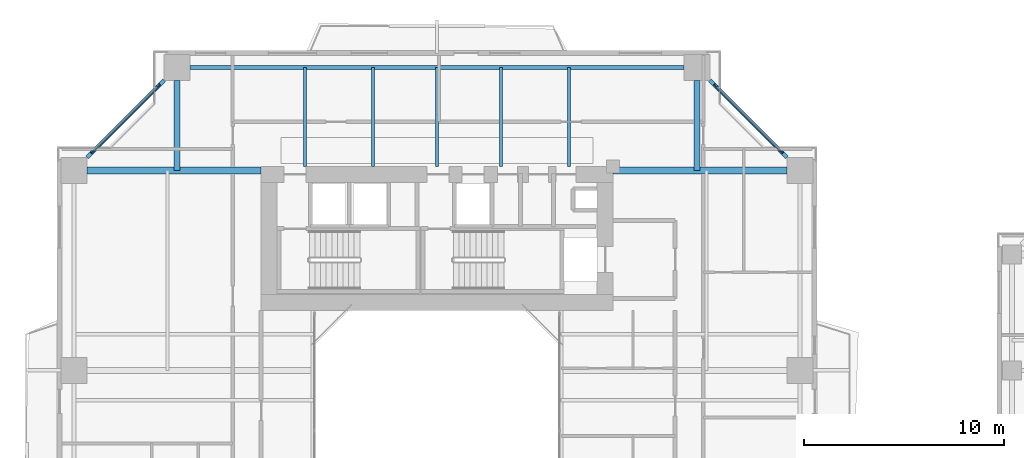
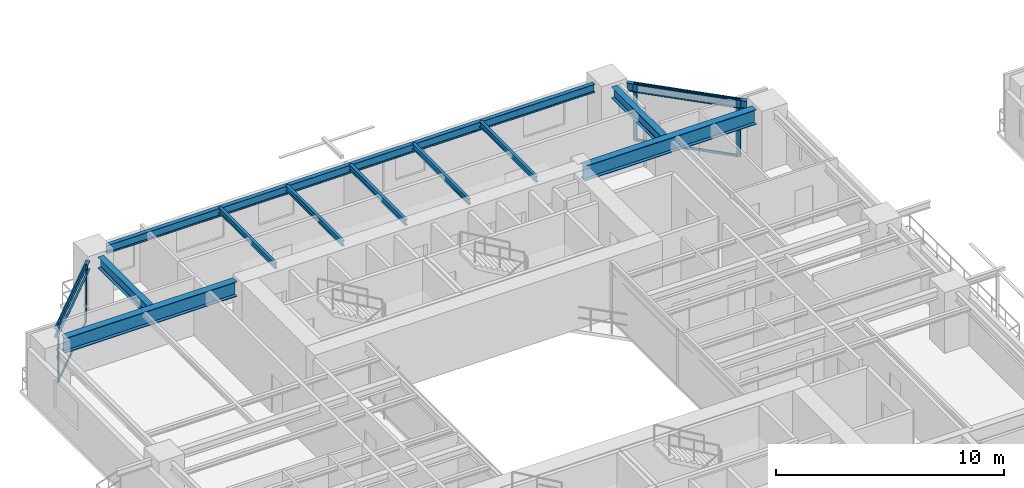
# One storey, part 9 of 23: 12 beams, 8 members, 2 elements without a shape of their own.
"""IFC4 building model written with IfcOpenShell, lengths in metres."""

import ifcopenshell
import ifcopenshell.guid

model = None  # the IFC model being written
_history = None  # IfcOwnerHistory: only IFC2X3 demands one
_inside = {}  # id of a spatial element -> (the spatial element, [elements in it])
_under = {}  # id of a project, library or spatial element -> (it, [spatial elements below it])
_declared = {}  # id of a project -> (the project, [libraries it declares])
_typed = {}  # id of a type object -> (the type object, [elements of that type])
_made_of = {}  # id of a material, layer set ... -> (it, [elements and type objects made of it])


def new_model(schema):
    """Start an empty IFC model of exactly this schema.

    Asked for "IFC4X3", IfcOpenShell would pick the latest addendum, in which some entities
    have other attributes; the version numbers below select the first issue.
    IFC2X3 requires an IfcOwnerHistory on every rooted entity: one is made here for all.
    """
    global model, _history
    if schema == "IFC4X3":
        model = ifcopenshell.file(schema_version=(4, 3, 0, 0))
    else:
        model = ifcopenshell.file(schema=schema)
    _inside.clear()
    _under.clear()
    _declared.clear()
    _typed.clear()
    _made_of.clear()
    _history = None
    if model.schema == "IFC2X3":
        org = make("IfcOrganization", Name="unknown")
        user = make(
            "IfcPersonAndOrganization",
            ThePerson=make("IfcPerson", FamilyName="unknown"),
            TheOrganization=org,
        )
        app = make(
            "IfcApplication",
            ApplicationDeveloper=org,
            Version="unknown",
            ApplicationFullName="unknown",
            ApplicationIdentifier="unknown",
        )
        _history = make(
            "IfcOwnerHistory",
            OwningUser=user,
            OwningApplication=app,
            ChangeAction="ADDED",
            CreationDate=0,
        )
    return model


def make(cls, **values):
    """One entity of the class cls with the attributes given. An attribute that is None is left unset."""
    return model.create_entity(
        cls, **{name: value for name, value in values.items() if value is not None}
    )


def rooted(cls, **values):
    """An entity with a GlobalId (a new one), such as an element, a storey or a relation."""
    return make(cls, GlobalId=ifcopenshell.guid.new(), OwnerHistory=_history, **values)


def si_unit(unit_type, name, prefix=None):
    """IfcSIUnit, for example si_unit("LENGTHUNIT", "METRE", prefix="MILLI")."""
    return make("IfcSIUnit", UnitType=unit_type, Prefix=prefix, Name=name)


def assignment(units):
    """IfcUnitAssignment: the units of a project."""
    return None if units is None else make("IfcUnitAssignment", Units=units)


def point(xyz):
    """IfcCartesianPoint."""
    return None if xyz is None else make("IfcCartesianPoint", Coordinates=xyz)


def direction(xyz):
    """IfcDirection."""
    return None if xyz is None else make("IfcDirection", DirectionRatios=xyz)


def frame(location, z_axis=None, x_axis=None):
    """IfcAxis2Placement3D, a coordinate frame: its origin and axes. An axis left out is left unset."""
    return make(
        "IfcAxis2Placement3D",
        Location=point(location),
        Axis=direction(z_axis),
        RefDirection=direction(x_axis),
    )


def frame_2d(location, x_axis=None):
    """IfcAxis2Placement2D, a coordinate frame in the plane: its origin and x axis."""
    return make(
        "IfcAxis2Placement2D", Location=point(location), RefDirection=direction(x_axis)
    )


def origin():
    """The frame at (0, 0, 0) with its axes left unset."""
    return frame((0.0, 0.0, 0.0))


def origin_2d():
    """The frame at (0, 0) in the plane with its x axis left unset."""
    return frame_2d((0.0, 0.0))


def place(relative_to, where):
    """IfcLocalPlacement: puts the frame where relative to a parent placement (None: the world)."""
    return make(
        "IfcLocalPlacement", PlacementRelTo=relative_to, RelativePlacement=where
    )


def context(
    kind, dimensions, precision=None, world=None, true_north=None, identifier=None
):
    """IfcGeometricRepresentationContext, for example the 3D "Model" context."""
    return make(
        "IfcGeometricRepresentationContext",
        ContextIdentifier=identifier,
        ContextType=kind,
        CoordinateSpaceDimension=dimensions,
        Precision=precision,
        WorldCoordinateSystem=world,
        TrueNorth=true_north,
    )


def subcontext(parent, identifier, kind, view, scale=None):
    """IfcGeometricRepresentationSubContext, for example "Body" below "Model"."""
    return make(
        "IfcGeometricRepresentationSubContext",
        ContextIdentifier=identifier,
        ContextType=kind,
        ParentContext=parent,
        TargetScale=scale,
        TargetView=view,
    )


def project(units=None, contexts=None):
    """IfcProject with its units and contexts."""
    return rooted(
        "IfcProject",
        Name="project",
        RepresentationContexts=contexts,
        UnitsInContext=assignment(units),
    )


def spatial(cls, under=None, at=None, **own):
    """A site, building, storey or space (cls), placed at a placement, below another one or the project."""
    s = rooted(cls, ObjectPlacement=at, **own)
    if under is not None:
        _under.setdefault(under.id(), (under, []))[1].append(s)
    return s


def profile(cls, at=None, kind="AREA", **sizes):
    """A parametric profile (cls). Its sizes go by their IFC names, for example OverallWidth=200.0."""
    return make(cls, ProfileType=kind, Position=at, **sizes)


def rectangle(**sizes):
    """IfcRectangleProfileDef."""
    return profile("IfcRectangleProfileDef", **sizes)


def i_section(**sizes):
    """IfcIShapeProfileDef."""
    return profile("IfcIShapeProfileDef", **sizes)


def extrude(swept, where, along, depth):
    """IfcExtrudedAreaSolid: the profile swept, set in the frame where, extruded along a direction by depth."""
    return make(
        "IfcExtrudedAreaSolid",
        SweptArea=swept,
        Position=where,
        ExtrudedDirection=direction(along),
        Depth=depth,
    )


def shape(context_of_items, identifier, shape_type, items):
    """IfcShapeRepresentation: the items that make up one representation, for example the "Body"."""
    return make(
        "IfcShapeRepresentation",
        ContextOfItems=context_of_items,
        RepresentationIdentifier=identifier,
        RepresentationType=shape_type,
        Items=items,
    )


def source(mapping_origin, context_of_items, identifier, shape_type, items):
    """IfcRepresentationMap: a shape defined once, which mapped items show again and again."""
    return make(
        "IfcRepresentationMap",
        MappingOrigin=mapping_origin,
        MappedRepresentation=shape(context_of_items, identifier, shape_type, items),
    )


def transform(
    local_origin,
    x_axis=None,
    y_axis=None,
    z_axis=None,
    scale=None,
    scale2=None,
    scale3=None,
    uniform=True,
):
    """IfcCartesianTransformationOperator3D, or its non-uniform kind. x_axis, y_axis, z_axis: its Axis1, 2, 3."""
    if uniform:
        return make(
            "IfcCartesianTransformationOperator3D",
            Axis1=direction(x_axis),
            Axis2=direction(y_axis),
            LocalOrigin=point(local_origin),
            Scale=scale,
            Axis3=direction(z_axis),
        )
    return make(
        "IfcCartesianTransformationOperator3DnonUniform",
        Axis1=direction(x_axis),
        Axis2=direction(y_axis),
        LocalOrigin=point(local_origin),
        Scale=scale,
        Axis3=direction(z_axis),
        Scale2=scale2,
        Scale3=scale3,
    )


def mapped(mapping_source, mapping_target):
    """IfcMappedItem: shows the shape of a source again, moved by a transform."""
    return make(
        "IfcMappedItem", MappingSource=mapping_source, MappingTarget=mapping_target
    )


def material(Name=None, Category=None):
    """IfcMaterial."""
    return make("IfcMaterial", Name=Name, Category=Category)


def layer(
    of_material, thickness, ventilated=None, Name=None, Category=None, Priority=None
):
    """IfcMaterialLayer: one layer of a wall or slab, of a material (None: an air gap)."""
    return make(
        "IfcMaterialLayer",
        Material=of_material,
        LayerThickness=thickness,
        IsVentilated=ventilated,
        Name=Name,
        Category=Category,
        Priority=Priority,
    )


def layer_set(layers, Name=None):
    """IfcMaterialLayerSet."""
    return make("IfcMaterialLayerSet", MaterialLayers=layers, LayerSetName=Name)


def material_profile(
    of_material, cross_section, Name=None, Category=None, Priority=None
):
    """IfcMaterialProfile: a cross section and its material."""
    return make(
        "IfcMaterialProfile",
        Name=Name,
        Material=of_material,
        Profile=cross_section,
        Priority=Priority,
        Category=Category,
    )


def profile_set(profiles, Name=None, composite=None):
    """IfcMaterialProfileSet."""
    return make(
        "IfcMaterialProfileSet",
        Name=Name,
        MaterialProfiles=profiles,
        CompositeProfile=composite,
    )


def made_of(thing, what):
    """Note that an element or type object is made of a material, layer set ...; save() writes the relation."""
    if what is not None:
        _made_of.setdefault(what.id(), (what, []))[1].append(thing)
    return thing


def type_object(cls, material=None, **own):
    """A type object (cls), such as IfcWallType, which elements share."""
    return made_of(rooted(cls, **own), material)


def element(
    cls,
    number,
    at=None,
    inside=None,
    cuts=None,
    type_object=None,
    material=None,
    context=None,
    identifier="Body",
    shape_type=None,
    held_by="IfcProductDefinitionShape",
    body=None,
    shapes=None,
    **own,
):
    """One element of the class cls, such as IfcWall. Its Tag is "e" and its number.

    at: its placement. inside: the storey or other place that contains it. cuts: it is an
    opening in that element (IfcRelVoidsElement). A single representation is given by context,
    identifier, shape_type and body (its items); several are given by shapes. held_by: the class
    of the entity that holds the representations. save() writes the other relations.
    """
    e = rooted(cls, Tag="e%d" % number, ObjectPlacement=at, **own)
    if body is not None:
        shapes = [shape(context, identifier, shape_type, body)]
    if shapes is not None:
        e.Representation = make(held_by, Representations=shapes)
    if inside is not None:
        _inside.setdefault(inside.id(), (inside, []))[1].append(e)
    if cuts is not None:
        rooted(
            "IfcRelVoidsElement", RelatingBuildingElement=cuts, RelatedOpeningElement=e
        )
    if type_object is not None:
        _typed.setdefault(type_object.id(), (type_object, []))[1].append(e)
    return made_of(e, material)


def aggregate(whole, parts):
    """IfcRelAggregates: a whole, such as a stair, and the parts it consists of."""
    return rooted("IfcRelAggregates", RelatingObject=whole, RelatedObjects=parts)


def save(model, path):
    """Write the relations noted so far, then the file.

    IfcRelAggregates (storeys below a building ...), IfcRelContainedInSpatialStructure (elements
    in a storey), IfcRelDefinesByType, IfcRelAssociatesMaterial and IfcRelDeclares: one each for
    every whole, place, type object, material and project.
    """
    for whole, parts in _under.values():
        aggregate(whole, parts)
    for where, things in _inside.values():
        rooted(
            "IfcRelContainedInSpatialStructure",
            RelatedElements=things,
            RelatingStructure=where,
        )
    for kind, things in _typed.values():
        rooted("IfcRelDefinesByType", RelatedObjects=things, RelatingType=kind)
    for what, things in _made_of.values():
        rooted("IfcRelAssociatesMaterial", RelatedObjects=things, RelatingMaterial=what)
    for by, libraries in _declared.values():
        rooted("IfcRelDeclares", RelatingContext=by, RelatedDefinitions=libraries)
    model.write(path)


model = new_model("IFC4")

# Units and contexts
model_context = context("Model", 3, precision=1e-05, world=origin(), true_north=direction((0.0, 1.0)))
body_context = subcontext(model_context, "Body", "Model", "MODEL_VIEW")
ifc_project = project(units=[si_unit("LENGTHUNIT", "METRE"), si_unit("AREAUNIT", "SQUARE_METRE"), si_unit("VOLUMEUNIT", "CUBIC_METRE"), si_unit("PLANEANGLEUNIT", "RADIAN"), si_unit("MASSUNIT", "GRAM", prefix="KILO"), si_unit("THERMODYNAMICTEMPERATUREUNIT", "KELVIN"), si_unit("POWERUNIT", "WATT")], contexts=[model_context])

# Site, building, storey
site_placement = place(None, origin())
site = spatial("IfcSite", under=ifc_project, at=site_placement, CompositionType="ELEMENT")
building_placement = place(site_placement, origin())
building = spatial("IfcBuilding", under=site, at=building_placement, Name="Qiaomeng Ring Towers", CompositionType="ELEMENT")
storey_placement = place(building_placement, frame((0.0, 0.0, 29.5)))
storey = spatial("IfcBuildingStorey", under=building, at=storey_placement, Name="L07", CompositionType="ELEMENT", Elevation=29.5)

# Beams
ifc_material_1 = material(Name="Steel Q355B", Category="steel")
ifc_material_profile_1 = material_profile(ifc_material_1, i_section(OverallWidth=0.199951171875, OverallDepth=0.449951171875, WebThickness=0.009033203125, FlangeThickness=0.013916015625, FilletRadius=0.01806640625, at=origin_2d()), Name="HN 450x200x9x14")
ifc_profile_set_1 = profile_set([ifc_material_profile_1], Name="Steel Q355B")
beam_type_1 = type_object("IfcBeamType", Name="STR-BM-HN450", PredefinedType="SPANDREL", material=ifc_profile_set_1)
shared_shape_1 = source(origin(), body_context, "Body", "SweptSolid", [
    extrude(i_section(OverallWidth=0.199951171875, OverallDepth=0.449951171875, WebThickness=0.009033203125, FlangeThickness=0.013916015625, FilletRadius=0.01806640625, at=origin_2d()), origin(), (0.0, 0.0, 1.0), 24.7021484375),
])
beam_placement = place(storey_placement, frame((31.35107421875, 41.14990234375, 2.844970703125), z_axis=(-1.0, 0.0, 0.0), x_axis=(0.0, -1.0, 0.0)))
element("IfcBeam", 1, at=beam_placement, inside=storey, type_object=beam_type_1, Name="L07 beam STR-SP-L07-T1-N2-N1", PredefinedType="SPANDREL", context=body_context, shape_type="MappedRepresentation", body=[
    mapped(shared_shape_1, transform((0.0, 0.0, 0.0), x_axis=(1.0, 0.0, 0.0), y_axis=(0.0, 1.0, 0.0), z_axis=(0.0, 0.0, 1.0), scale=1.0)),
])
shared_shape_2 = source(origin(), body_context, "Body", "SweptSolid", [
    extrude(i_section(OverallWidth=0.199951171875, OverallDepth=0.449951171875, WebThickness=0.009033203125, FlangeThickness=0.013916015625, FilletRadius=0.01806640625, at=origin_2d()), origin(), (0.0, 0.0, 1.0), 5.446533203125),
])
for number, where, z_axis, x_axis, name in (
    (2, (36.500732421875, 36.6494140625, 2.844970703125), (-0.707106781187, 0.707106781187, 0.0), (-0.707106781187, -0.707106781187, 0.0), "L07 beam STR-SP-L07-T1-E4-N2"),
    (3, (5.3505859375, 40.500732421875, 2.844970703125), (-0.707106781187, -0.707106781187, 0.0), (0.707106781187, -0.707106781187, 0.0), "L07 beam STR-SP-L07-T1-N1-W4"),
):
    element("IfcBeam", number, at=place(storey_placement, frame(where, z_axis=z_axis, x_axis=x_axis)), inside=storey, type_object=beam_type_1, Name=name, PredefinedType="SPANDREL", context=body_context, shape_type="MappedRepresentation", body=[
        mapped(shared_shape_2, transform((0.0, 0.0, 0.0), x_axis=(1.0, 0.0, 0.0), y_axis=(0.0, 1.0, 0.0), z_axis=(0.0, 0.0, 1.0), scale=1.0)),
    ])
ifc_material_2 = material(Name="Steel Q390GJC", Category="steel")
ifc_material_profile_2 = material_profile(ifc_material_2, i_section(OverallWidth=0.35009765625, OverallDepth=0.800048828125, WebThickness=0.01611328125, FlangeThickness=0.028076171875, at=origin_2d()), Name="WH 800x350x16x28")
ifc_profile_set_2 = profile_set([ifc_material_profile_2], Name="Steel Q390GJC")
beam_type_2 = type_object("IfcBeamType", Name="STR-BM-WH800", PredefinedType="BEAM", material=ifc_profile_set_2)
shared_shape_3 = source(origin(), body_context, "Body", "SweptSolid", [
    extrude(i_section(OverallWidth=0.35009765625, OverallDepth=0.800048828125, WebThickness=0.01611328125, FlangeThickness=0.028076171875, at=origin_2d()), origin(), (0.0, 0.0, 1.0), 8.700927734375),
])
for number, where, z_axis, x_axis, name in (
    (4, (1.4990234375, 36.0, 2.669921875), (1.0, 0.0, 0.0), (0.0, 1.0, 0.0), "L07 beam STR-BM-L07-T1-RAD-W4"),
    (5, (27.800048828125, 36.0, 2.669921875), (1.0, 0.0, 0.0), (0.0, 1.0, 0.0), "L07 beam STR-BM-L07-T1-RAD-E4"),
):
    element("IfcBeam", number, at=place(storey_placement, frame(where, z_axis=z_axis, x_axis=x_axis)), inside=storey, type_object=beam_type_2, Name=name, PredefinedType="BEAM", context=body_context, shape_type="MappedRepresentation", body=[
        mapped(shared_shape_3, transform((0.0, 0.0, 0.0), x_axis=(1.0, 0.0, 0.0), y_axis=(0.0, 1.0, 0.0), z_axis=(0.0, 0.0, 1.0), scale=1.0)),
    ])
ifc_material_profile_3 = material_profile(ifc_material_1, i_section(OverallWidth=0.300048828125, OverallDepth=0.587890625, WebThickness=0.011962890625, FlangeThickness=0.02001953125, FilletRadius=0.028076171875, at=origin_2d()), Name="HM 588x300x12x20")
ifc_profile_set_3 = profile_set([ifc_material_profile_3], Name="Steel Q355B")
beam_type_3 = type_object("IfcBeamType", Name="STR-BM-HM588", PredefinedType="BEAM", material=ifc_profile_set_3)
shared_shape_4 = source(origin(), body_context, "Body", "SweptSolid", [
    extrude(i_section(OverallWidth=0.300048828125, OverallDepth=0.587890625, WebThickness=0.011962890625, FlangeThickness=0.02001953125, FilletRadius=0.028076171875, at=origin_2d()), origin(), (0.0, 0.0, 1.0), 4.5009765625),
])
for number, where, z_axis, x_axis, name in (
    (6, (6.0, 40.5009765625, 2.77587890625), (0.0, -1.0, 0.0), (1.0, 0.0, 0.0), "L07 beam STR-BM-L07-T1-RAD-N1"),
    (7, (32.0, 40.5009765625, 2.77587890625), (0.0, -1.0, 0.0), (1.0, 0.0, 0.0), "L07 beam STR-BM-L07-T1-RAD-N2"),
):
    element("IfcBeam", number, at=place(storey_placement, frame(where, z_axis=z_axis, x_axis=x_axis)), inside=storey, type_object=beam_type_3, Name=name, PredefinedType="BEAM", context=body_context, shape_type="MappedRepresentation", body=[
        mapped(shared_shape_4, transform((0.0, 0.0, 0.0), x_axis=(1.0, 0.0, 0.0), y_axis=(0.0, 1.0, 0.0), z_axis=(0.0, 0.0, 1.0), scale=1.0)),
    ])
ifc_material_profile_4 = material_profile(ifc_material_1, i_section(OverallWidth=0.14990234375, OverallDepth=0.300048828125, WebThickness=0.006591796875, FlangeThickness=0.009033203125, FilletRadius=0.012939453125, at=origin_2d()), Name="HN 300x150x6.5x9")
ifc_profile_set_4 = profile_set([ifc_material_profile_4], Name="Steel Q355B")
beam_type_4 = type_object("IfcBeamType", Name="STR-BM-HN300", PredefinedType="JOIST", material=ifc_profile_set_4)
shared_shape_5 = source(origin(), body_context, "Body", "SweptSolid", [
    extrude(i_section(OverallWidth=0.14990234375, OverallDepth=0.300048828125, WebThickness=0.006591796875, FlangeThickness=0.009033203125, FilletRadius=0.012939453125, at=origin_2d()), origin(), (0.0, 0.0, 1.0), 4.949951171875),
])
for number, where, z_axis, x_axis, name in (
    (8, (12.39990234375, 36.199951171875, 2.919921875), (0.0, 1.0, 0.0), (-1.0, 0.0, 0.0), "L07 beam STR-JST-L07-T1N-1"),
    (9, (15.800048828125, 36.199951171875, 2.919921875), (0.0, 1.0, 0.0), (-1.0, 0.0, 0.0), "L07 beam STR-JST-L07-T1N-2"),
    (10, (19.0, 36.199951171875, 2.919921875), (0.0, 1.0, 0.0), (-1.0, 0.0, 0.0), "L07 beam STR-JST-L07-T1N-3"),
    (11, (22.199951171875, 36.199951171875, 2.919921875), (0.0, 1.0, 0.0), (-1.0, 0.0, 0.0), "L07 beam STR-JST-L07-T1N-4"),
    (12, (25.60009765625, 36.199951171875, 2.919921875), (0.0, 1.0, 0.0), (-1.0, 0.0, 0.0), "L07 beam STR-JST-L07-T1N-5"),
):
    element("IfcBeam", number, at=place(storey_placement, frame(where, z_axis=z_axis, x_axis=x_axis)), inside=storey, type_object=beam_type_4, Name=name, PredefinedType="JOIST", context=body_context, shape_type="MappedRepresentation", body=[
        mapped(shared_shape_5, transform((0.0, 0.0, 0.0), x_axis=(1.0, 0.0, 0.0), y_axis=(0.0, 1.0, 0.0), z_axis=(0.0, 0.0, 1.0), scale=1.0)),
    ])

# Curtain wall, members
ifc_material_3 = material(Name="Fluorocarbon dark-grey aluminium", Category="aluminium")
ifc_layer = layer(ifc_material_3, 0.159912109375, Name="Fluorocarbon dark-grey aluminium")
ifc_layer_set = layer_set([ifc_layer], Name="Fluorocarbon dark-grey aluminium")
curtain_wall_type = type_object("IfcCurtainWallType", Name="ARC-CW-2", PredefinedType="NOTDEFINED", material=ifc_layer_set)
curtain_wall_1_placement = place(storey_placement, origin())
curtain_wall_1 = element("IfcCurtainWall", 13, at=curtain_wall_1_placement, inside=storey, type_object=curtain_wall_type, Name="L07 Curtain Wall CW2", PredefinedType="NOTDEFINED")
ifc_material_profile_5 = material_profile(ifc_material_3, rectangle(XDim=0.070068359375, YDim=0.179931640625, at=origin_2d()), Name="ALU MULL 70x180")
ifc_profile_set_5 = profile_set([ifc_material_profile_5], Name="Fluorocarbon dark-grey aluminium")
member_type_1 = type_object("IfcMemberType", Name="ARC-CWM-160", PredefinedType="MULLION", material=ifc_profile_set_5)
shared_shape_6 = source(origin(), body_context, "Body", "SweptSolid", [
    extrude(rectangle(XDim=0.070068359375, YDim=0.179931640625, at=origin_2d()), origin(), (0.0, 0.0, 1.0), 3.070068359375),
])
member_1_placement = place(storey_placement, frame((36.2353515625, 36.914794921875, 0.0), z_axis=(0.0, 0.0, 1.0), x_axis=(-0.707106781187, -0.707106781187, 0.0)))
member_1 = element("IfcMember", 14, at=member_1_placement, type_object=member_type_1, Name="CW2 mullion 1", PredefinedType="MULLION", context=body_context, shape_type="MappedRepresentation", body=[
    mapped(shared_shape_6, transform((0.0, 0.0, 0.0), x_axis=(1.0, 0.0, 0.0), y_axis=(0.0, 1.0, 0.0), z_axis=(0.0, 0.0, 1.0), scale=1.0)),
])
member_2_placement = place(storey_placement, frame((32.914794921875, 40.2353515625, 0.0), z_axis=(0.0, 0.0, 1.0), x_axis=(-0.707106781187, -0.707106781187, 0.0)))
member_2 = element("IfcMember", 15, at=member_2_placement, type_object=member_type_1, Name="CW2 mullion 2", PredefinedType="MULLION", context=body_context, shape_type="MappedRepresentation", body=[
    mapped(shared_shape_6, transform((0.0, 0.0, 0.0), x_axis=(1.0, 0.0, 0.0), y_axis=(0.0, 1.0, 0.0), z_axis=(0.0, 0.0, 1.0), scale=1.0)),
])

curtain_wall_2_placement = place(storey_placement, origin())
curtain_wall_2 = element("IfcCurtainWall", 16, at=curtain_wall_2_placement, inside=storey, type_object=curtain_wall_type, Name="L07 Curtain Wall CW2", PredefinedType="NOTDEFINED")
member_3_placement = place(storey_placement, frame((5.085205078125, 40.2353515625, 0.0), z_axis=(0.0, 0.0, 1.0), x_axis=(0.707106781187, -0.707106781187, 0.0)))
member_3 = element("IfcMember", 17, at=member_3_placement, type_object=member_type_1, Name="CW2 mullion 1", PredefinedType="MULLION", context=body_context, shape_type="MappedRepresentation", body=[
    mapped(shared_shape_6, transform((0.0, 0.0, 0.0), x_axis=(1.0, 0.0, 0.0), y_axis=(0.0, 1.0, 0.0), z_axis=(0.0, 0.0, 1.0), scale=1.0)),
])
member_4_placement = place(storey_placement, frame((1.7646484375, 36.914794921875, 0.0), z_axis=(0.0, 0.0, 1.0), x_axis=(0.707106781187, -0.707106781187, 0.0)))
member_4 = element("IfcMember", 18, at=member_4_placement, type_object=member_type_1, Name="CW2 mullion 2", PredefinedType="MULLION", context=body_context, shape_type="MappedRepresentation", body=[
    mapped(shared_shape_6, transform((0.0, 0.0, 0.0), x_axis=(1.0, 0.0, 0.0), y_axis=(0.0, 1.0, 0.0), z_axis=(0.0, 0.0, 1.0), scale=1.0)),
])

# Member
ifc_material_profile_6 = material_profile(ifc_material_3, rectangle(XDim=0.06494140625, YDim=0.1298828125, at=origin_2d()), Name="ALU TRAN 65x130")
ifc_profile_set_6 = profile_set([ifc_material_profile_6], Name="Fluorocarbon dark-grey aluminium")
member_type_2 = type_object("IfcMemberType", Name="ARC-CWT-120", PredefinedType="USERDEFINED", material=ifc_profile_set_6)
shared_shape_7 = source(origin(), body_context, "Body", "SweptSolid", [
    extrude(rectangle(XDim=0.06494140625, YDim=0.1298828125, at=origin_2d()), origin(), (0.0, 0.0, 1.0), 4.6259765625),
])
member_5_placement = place(storey_placement, frame((36.21044921875, 36.939453125, 0.032470703125), z_axis=(-0.707106781187, 0.707106781187, 0.0), x_axis=(-0.707106781187, -0.707106781187, 0.0)))
member_5 = element("IfcMember", 19, at=member_5_placement, type_object=member_type_2, Name="CW2 transom 1.1", ObjectType="TRANSOM", PredefinedType="USERDEFINED", context=body_context, shape_type="MappedRepresentation", body=[
    mapped(shared_shape_7, transform((0.0, 0.0, 0.0), x_axis=(1.0, 0.0, 0.0), y_axis=(0.0, 1.0, 0.0), z_axis=(0.0, 0.0, 1.0), scale=1.0)),
])

member_6_placement = place(storey_placement, frame((36.21044921875, 36.939453125, 3.03759765625), z_axis=(-0.707106781187, 0.707106781187, 0.0), x_axis=(-0.707106781187, -0.707106781187, 0.0)))
member_6 = element("IfcMember", 20, at=member_6_placement, type_object=member_type_2, Name="CW2 transom 1.2", ObjectType="TRANSOM", PredefinedType="USERDEFINED", context=body_context, shape_type="MappedRepresentation", body=[
    mapped(shared_shape_7, transform((0.0, 0.0, 0.0), x_axis=(1.0, 0.0, 0.0), y_axis=(0.0, 1.0, 0.0), z_axis=(0.0, 0.0, 1.0), scale=1.0)),
])

aggregate(curtain_wall_1, [member_1, member_2, member_5, member_6])

member_7_placement = place(storey_placement, frame((5.060546875, 40.21044921875, 0.032470703125), z_axis=(-0.707106781187, -0.707106781187, 0.0), x_axis=(0.707106781187, -0.707106781187, 0.0)))
member_7 = element("IfcMember", 21, at=member_7_placement, type_object=member_type_2, Name="CW2 transom 1.1", ObjectType="TRANSOM", PredefinedType="USERDEFINED", context=body_context, shape_type="MappedRepresentation", body=[
    mapped(shared_shape_7, transform((0.0, 0.0, 0.0), x_axis=(1.0, 0.0, 0.0), y_axis=(0.0, 1.0, 0.0), z_axis=(0.0, 0.0, 1.0), scale=1.0)),
])

member_8_placement = place(storey_placement, frame((5.060546875, 40.21044921875, 3.03759765625), z_axis=(-0.707106781187, -0.707106781187, 0.0), x_axis=(0.707106781187, -0.707106781187, 0.0)))
member_8 = element("IfcMember", 22, at=member_8_placement, type_object=member_type_2, Name="CW2 transom 1.2", ObjectType="TRANSOM", PredefinedType="USERDEFINED", context=body_context, shape_type="MappedRepresentation", body=[
    mapped(shared_shape_7, transform((0.0, 0.0, 0.0), x_axis=(1.0, 0.0, 0.0), y_axis=(0.0, 1.0, 0.0), z_axis=(0.0, 0.0, 1.0), scale=1.0)),
])

aggregate(curtain_wall_2, [member_3, member_4, member_7, member_8])

save(model, "model.ifc")
